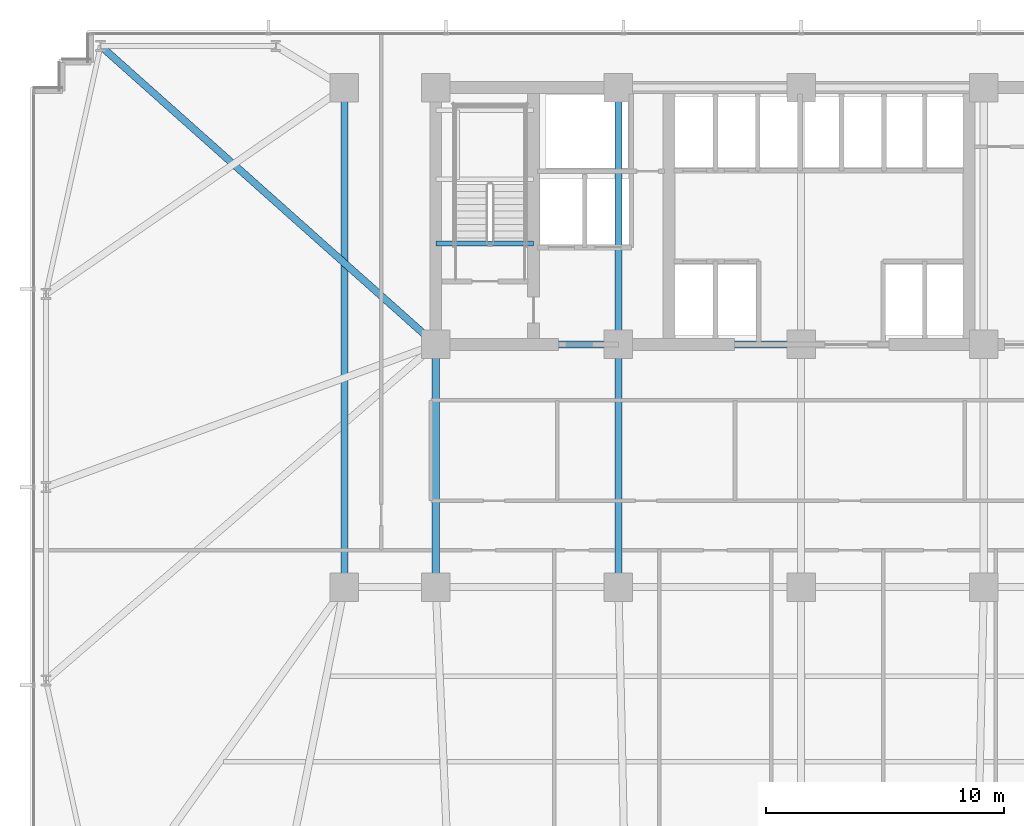
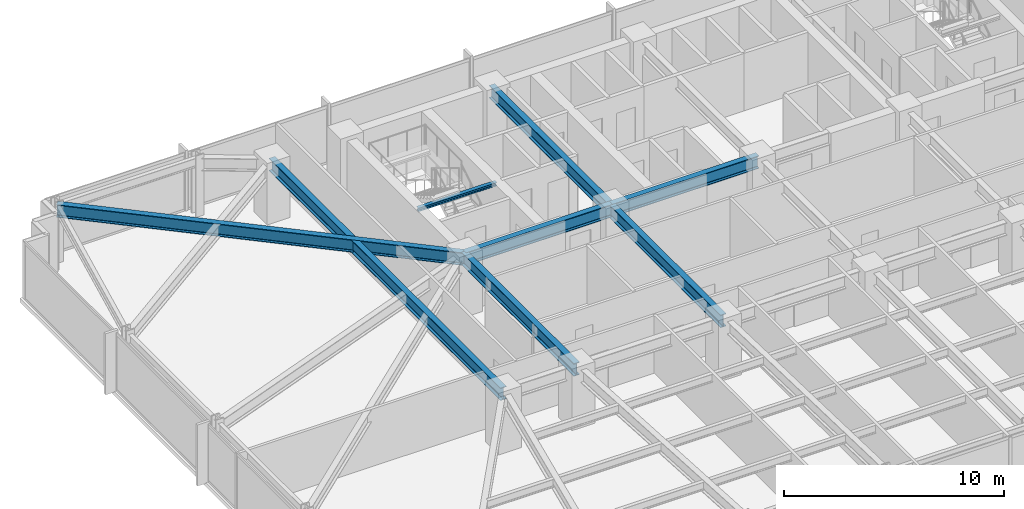
# One storey, part 10 of 32: 8 beams.
"""IFC4 building model written with IfcOpenShell, lengths in metres."""

from ifc_helpers import new_model, si_unit, direction, frame, origin, origin_2d, place, context, subcontext, project, spatial, i_section, extrude, material, material_profile, profile_set, type_object, element, save


model = new_model("IFC4")

# Units and contexts
model_context = context("Model", 3, precision=1e-05, world=origin(), true_north=direction((0.0, 1.0)))
body_context = subcontext(model_context, "Body", "Model", "MODEL_VIEW")
ifc_project = project(units=[si_unit("LENGTHUNIT", "METRE"), si_unit("AREAUNIT", "SQUARE_METRE"), si_unit("VOLUMEUNIT", "CUBIC_METRE"), si_unit("PLANEANGLEUNIT", "RADIAN"), si_unit("MASSUNIT", "GRAM", prefix="KILO")], contexts=[model_context])

# Site, building, storey
site_placement = place(None, origin())
site = spatial("IfcSite", under=ifc_project, at=site_placement, CompositionType="ELEMENT")
building_placement = place(site_placement, origin())
building = spatial("IfcBuilding", under=site, at=building_placement, Name="Yelkora Congress Tower", CompositionType="ELEMENT")
storey_placement = place(building_placement, frame((0.0, 0.0, 57.60009765625)))
storey = spatial("IfcBuildingStorey", under=building, at=storey_placement, Name="L14", CompositionType="ELEMENT", Elevation=57.60009765625)

# Beams
ifc_material = material(Name="Steel S355J2", Category="steel")
ifc_material_profile_1 = material_profile(ifc_material, i_section(OverallWidth=0.300048828125, OverallDepth=0.699951171875, WebThickness=0.01708984375, FlangeThickness=0.031982421875, FilletRadius=0.027099609375, at=origin_2d()), Name="HEB 700")
ifc_profile_set_1 = profile_set([ifc_material_profile_1], Name="Steel S355J2")
beam_type_1 = type_object("IfcBeamType", Name="BM-GIRD-HEB700", PredefinedType="BEAM", material=ifc_profile_set_1)
for number, where, z_axis, x_axis, name in (
    (1, (23.0400390625, 35.39990234375, 2.829833984375), (1.0, 0.0, 0.0), (0.0, 1.0, 0.0), "L14 Core South Girder 1"),
    (2, (30.719970703125, 35.39990234375, 2.829833984375), (1.0, 0.0, 0.0), (0.0, 1.0, 0.0), "L14 Core South Girder 2"),
):
    element("IfcBeam", number, at=place(storey_placement, frame(where, z_axis=z_axis, x_axis=x_axis)), inside=storey, type_object=beam_type_1, Name=name, PredefinedType="BEAM", context=body_context, shape_type="SweptSolid", body=[
        extrude(i_section(OverallWidth=0.300048828125, OverallDepth=0.699951171875, WebThickness=0.01708984375, FlangeThickness=0.031982421875, FilletRadius=0.027099609375, at=origin_2d()), origin(), (0.0, 0.0, 1.0), 7.679931640625),
    ])
for number, where, z_axis, x_axis, name in (
    (3, (23.0400390625, 25.199951171875, 2.829833984375), (0.0, 1.0, 0.0), (-1.0, 0.0, 0.0), "L14 Core Tie Girder MC-D1"),
    (4, (30.719970703125, 25.199951171875, 2.829833984375), (0.0, 1.0, 0.0), (-1.0, 0.0, 0.0), "L14 Core Tie Girder MC-D2"),
):
    element("IfcBeam", number, at=place(storey_placement, frame(where, z_axis=z_axis, x_axis=x_axis)), inside=storey, type_object=beam_type_1, Name=name, PredefinedType="BEAM", context=body_context, shape_type="SweptSolid", body=[
        extrude(i_section(OverallWidth=0.300048828125, OverallDepth=0.699951171875, WebThickness=0.01708984375, FlangeThickness=0.031982421875, FilletRadius=0.027099609375, at=origin_2d()), origin(), (0.0, 0.0, 1.0), 10.199951171875),
    ])
beam_1_placement = place(storey_placement, frame((30.719970703125, 35.39990234375, 2.829833984375), z_axis=(0.0, 1.0, 0.0), x_axis=(-1.0, 0.0, 0.0)))
element("IfcBeam", 5, at=beam_1_placement, inside=storey, type_object=beam_type_1, Name="L14 Core Tie Girder MC-S2", PredefinedType="BEAM", context=body_context, shape_type="SweptSolid", body=[
    extrude(i_section(OverallWidth=0.300048828125, OverallDepth=0.699951171875, WebThickness=0.01708984375, FlangeThickness=0.031982421875, FilletRadius=0.027099609375, at=origin_2d()), origin(), (0.0, 0.0, 1.0), 10.800048828125),
])
beam_2_placement = place(storey_placement, frame((19.199951171875, 25.199951171875, 2.829833984375), z_axis=(0.0, 1.0, 0.0), x_axis=(-1.0, 0.0, 0.0)))
element("IfcBeam", 6, at=beam_2_placement, inside=storey, type_object=beam_type_1, Name="L14 Neck Flank Girder MC-F1", PredefinedType="BEAM", context=body_context, shape_type="SweptSolid", body=[
    extrude(i_section(OverallWidth=0.300048828125, OverallDepth=0.699951171875, WebThickness=0.01708984375, FlangeThickness=0.031982421875, FilletRadius=0.027099609375, at=origin_2d()), origin(), (0.0, 0.0, 1.0), 21.0),
])
beam_3_placement = place(storey_placement, frame((8.949951171875, 47.949951171875, 2.829833984375), z_axis=(0.746737189621, -0.665119214605, 0.0), x_axis=(0.665119214605, 0.746737189621, 0.0)))
element("IfcBeam", 7, at=beam_3_placement, inside=storey, type_object=beam_type_1, Name="L14 Primary Frame Girder N01", PredefinedType="BEAM", context=body_context, shape_type="SweptSolid", body=[
    extrude(i_section(OverallWidth=0.300048828125, OverallDepth=0.699951171875, WebThickness=0.01708984375, FlangeThickness=0.031982421875, FilletRadius=0.027099609375, at=origin_2d()), origin(), (0.0, 0.0, 1.0), 18.868896484375),
])
ifc_material_profile_2 = material_profile(ifc_material, i_section(OverallWidth=0.199951171875, OverallDepth=0.18994140625, WebThickness=0.006591796875, FlangeThickness=0.010009765625, FilletRadius=0.01806640625, at=origin_2d()), Name="HEA 200")
ifc_profile_set_2 = profile_set([ifc_material_profile_2], Name="Steel S355J2")
beam_type_2 = type_object("IfcBeamType", Name="BM-LAND-HEA200", PredefinedType="BEAM", material=ifc_profile_set_2)
beam_4_placement = place(storey_placement, frame((23.0400390625, 39.639892578125, 2.947265625), z_axis=(1.0, 0.0, 0.0), x_axis=(0.0, 1.0, 0.0)))
element("IfcBeam", 8, at=beam_4_placement, inside=storey, type_object=beam_type_2, Name="ST-01 L14 Floor Arrival Stringer Header Beam", PredefinedType="BEAM", context=body_context, shape_type="SweptSolid", body=[
    extrude(i_section(OverallWidth=0.199951171875, OverallDepth=0.18994140625, WebThickness=0.006591796875, FlangeThickness=0.010009765625, FilletRadius=0.01806640625, at=origin_2d()), origin(), (0.0, 0.0, 1.0), 4.10986328125),
])

save(model, "model.ifc")
